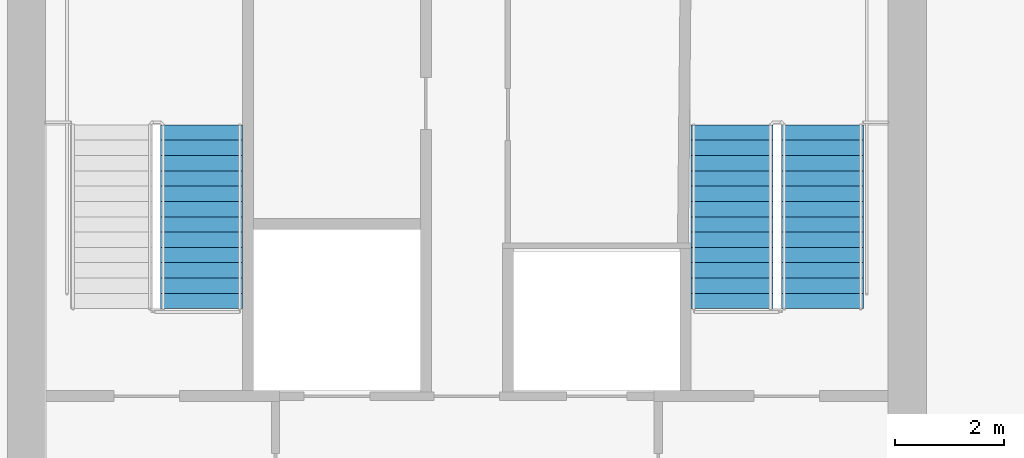
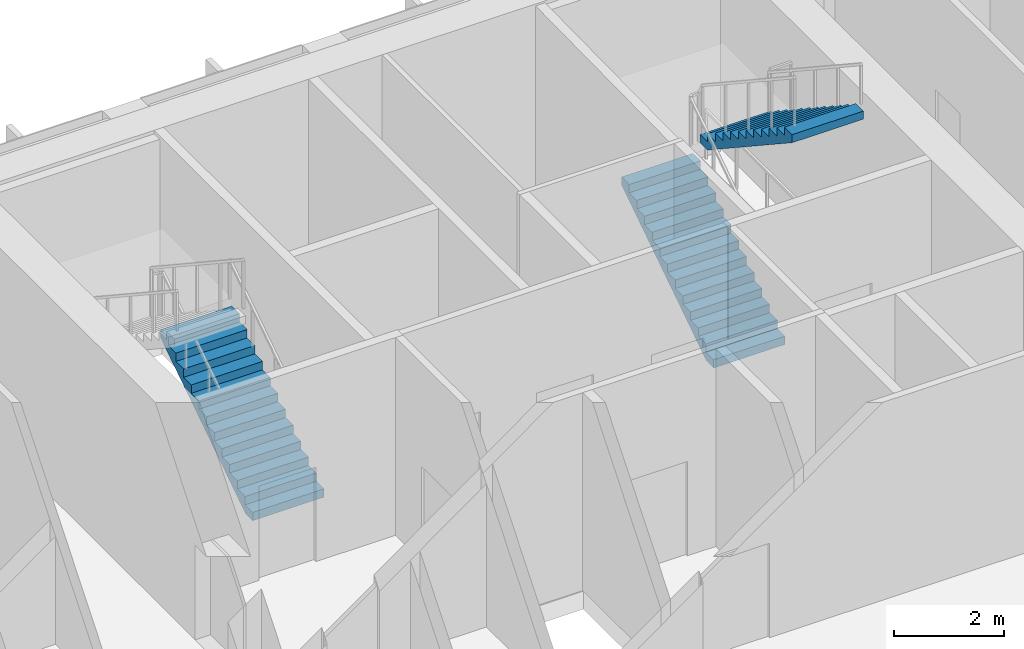
# One storey, part 13 of 19: 3 stair flights, 2 elements without a shape of their own.
"""IFC4 building model written with IfcOpenShell, lengths in metres."""

from ifc_helpers import new_model, si_unit, direction, frame, origin, place, context, subcontext, project, spatial, polyline, outline, extrude, material, type_object, element, aggregate, save


model = new_model("IFC4")

# Units and contexts
model_context = context("Model", 3, precision=1e-05, world=origin(), true_north=direction((0.0, 1.0)))
body_context = subcontext(model_context, "Body", "Model", "MODEL_VIEW")
ifc_project = project(units=[si_unit("LENGTHUNIT", "METRE"), si_unit("AREAUNIT", "SQUARE_METRE"), si_unit("VOLUMEUNIT", "CUBIC_METRE"), si_unit("PLANEANGLEUNIT", "RADIAN"), si_unit("MASSUNIT", "GRAM", prefix="KILO")], contexts=[model_context])

# Site, building, storey
site_placement = place(None, origin())
site = spatial("IfcSite", under=ifc_project, at=site_placement, CompositionType="ELEMENT")
building_placement = place(site_placement, origin())
building = spatial("IfcBuilding", under=site, at=building_placement, Name="Vermilion Ogive Tower", CompositionType="ELEMENT")
storey_placement = place(building_placement, frame((0.0, 0.0, 128.300048828125)))
storey = spatial("IfcBuildingStorey", under=building, at=storey_placement, Name="L32", CompositionType="ELEMENT", Elevation=128.300048828125)

# Stair, stair flight
ifc_material_1 = material(Name="Concrete B40", Category="concrete")
stair_type = type_object("IfcStairType", Name="Exit stair 1500", PredefinedType="HALF_TURN_STAIR", material=ifc_material_1)
stair_1_placement = place(storey_placement, origin())
stair_1 = element("IfcStair", 1, at=stair_1_placement, inside=storey, type_object=stair_type, Name="L32 Exit Stair ST1", PredefinedType="HALF_TURN_STAIR")
ifc_material_2 = material(Name="Concrete B40", Category="concrete")
stair_flight_type = type_object("IfcStairFlightType", Name="Stair flight 1500", PredefinedType="STRAIGHT", material=ifc_material_2)
stair_flight_1_placement = place(storey_placement, frame((-4.85009765625, 14.85009765625, 0.0), z_axis=(0.0, 0.0, 1.0), x_axis=(0.0, 1.0, 0.0)))
stair_flight_1 = element("IfcStairFlight", 2, at=stair_flight_1_placement, type_object=stair_flight_type, Name="ST1 flight 1", NumberOfRisers=13, NumberOfTreads=12, PredefinedType="STRAIGHT", RiserHeight=0.184615385, TreadLength=0.28, context=body_context, shape_type="SweptSolid", body=[
    extrude(outline(polyline([(0.0, 0.0), (0.0, 0.1845703125), (0.280029296875, 0.1845703125), (0.280029296875, 0.369140625), (0.56005859375, 0.369140625), (0.56005859375, 0.553955078125), (0.840087890625, 0.553955078125), (0.840087890625, 0.738525390625), (1.1201171875, 0.738525390625), (1.1201171875, 0.923095703125), (1.39990234375, 0.923095703125), (1.39990234375, 1.107666015625), (1.679931640625, 1.107666015625), (1.679931640625, 1.292236328125), (1.9599609375, 1.292236328125), (1.9599609375, 1.476806640625), (2.239990234375, 1.476806640625), (2.239990234375, 1.66162109375), (2.52001953125, 1.66162109375), (2.52001953125, 1.84619140625), (2.800048828125, 1.84619140625), (2.800048828125, 2.03076171875), (3.080078125, 2.03076171875), (3.080078125, 2.21533203125), (3.360107421875, 2.21533203125), (3.360107421875, 2.39990234375), (3.360107421875, 2.035888671875), (0.272216796875, 0.0), (0.0, 0.0)])), frame((0.0, 0.75, 0.0), z_axis=(0.0, -1.0, 0.0), x_axis=(1.0, 0.0, 0.0)), (0.0, 0.0, 1.0), 1.5),
])
aggregate(stair_1, [stair_flight_1])

# Stair, stair flights
stair_2_placement = place(storey_placement, origin())
stair_2 = element("IfcStair", 3, at=stair_2_placement, inside=storey, type_object=stair_type, Name="L32 Exit Stair ST2", PredefinedType="HALF_TURN_STAIR")
stair_flight_2_placement = place(storey_placement, frame((4.85009765625, 14.85009765625, 0.0), z_axis=(0.0, 0.0, 1.0), x_axis=(0.0, 1.0, 0.0)))
stair_flight_2 = element("IfcStairFlight", 4, at=stair_flight_2_placement, type_object=stair_flight_type, Name="ST2 flight 1", NumberOfRisers=13, NumberOfTreads=12, PredefinedType="STRAIGHT", RiserHeight=0.184615385, TreadLength=0.28, context=body_context, shape_type="SweptSolid", body=[
    extrude(outline(polyline([(0.0, 0.0), (0.0, 0.1845703125), (0.280029296875, 0.1845703125), (0.280029296875, 0.369140625), (0.56005859375, 0.369140625), (0.56005859375, 0.553955078125), (0.840087890625, 0.553955078125), (0.840087890625, 0.738525390625), (1.1201171875, 0.738525390625), (1.1201171875, 0.923095703125), (1.39990234375, 0.923095703125), (1.39990234375, 1.107666015625), (1.679931640625, 1.107666015625), (1.679931640625, 1.292236328125), (1.9599609375, 1.292236328125), (1.9599609375, 1.476806640625), (2.239990234375, 1.476806640625), (2.239990234375, 1.66162109375), (2.52001953125, 1.66162109375), (2.52001953125, 1.84619140625), (2.800048828125, 1.84619140625), (2.800048828125, 2.03076171875), (3.080078125, 2.03076171875), (3.080078125, 2.21533203125), (3.360107421875, 2.21533203125), (3.360107421875, 2.39990234375), (3.360107421875, 2.035888671875), (0.272216796875, 0.0), (0.0, 0.0)])), frame((0.0, 0.75, 0.0), z_axis=(0.0, -1.0, 0.0), x_axis=(1.0, 0.0, 0.0)), (0.0, 0.0, 1.0), 1.5),
])
stair_flight_3_placement = place(storey_placement, frame((6.5, 18.2099609375, 2.39990234375), z_axis=(0.0, 0.0, 1.0), x_axis=(0.0, -1.0, 0.0)))
stair_flight_3 = element("IfcStairFlight", 5, at=stair_flight_3_placement, type_object=stair_flight_type, Name="ST2 flight 2", NumberOfRisers=13, NumberOfTreads=12, PredefinedType="STRAIGHT", RiserHeight=0.184615385, TreadLength=0.28, context=body_context, shape_type="SweptSolid", body=[
    extrude(outline(polyline([(0.0, 0.0), (0.0, 0.1845703125), (0.280029296875, 0.1845703125), (0.280029296875, 0.369140625), (0.56005859375, 0.369140625), (0.56005859375, 0.553955078125), (0.840087890625, 0.553955078125), (0.840087890625, 0.738525390625), (1.1201171875, 0.738525390625), (1.1201171875, 0.923095703125), (1.39990234375, 0.923095703125), (1.39990234375, 1.107666015625), (1.679931640625, 1.107666015625), (1.679931640625, 1.292236328125), (1.9599609375, 1.292236328125), (1.9599609375, 1.476806640625), (2.239990234375, 1.476806640625), (2.239990234375, 1.66162109375), (2.52001953125, 1.66162109375), (2.52001953125, 1.84619140625), (2.800048828125, 1.84619140625), (2.800048828125, 2.03076171875), (3.080078125, 2.03076171875), (3.080078125, 2.21533203125), (3.360107421875, 2.21533203125), (3.360107421875, 2.39990234375), (3.360107421875, 2.035888671875), (0.272216796875, 0.0), (0.0, 0.0)])), frame((0.0, 0.75, 0.0), z_axis=(0.0, -1.0, 0.0), x_axis=(1.0, 0.0, 0.0)), (0.0, 0.0, 1.0), 1.5),
])
aggregate(stair_2, [stair_flight_2, stair_flight_3])

save(model, "model.ifc")
